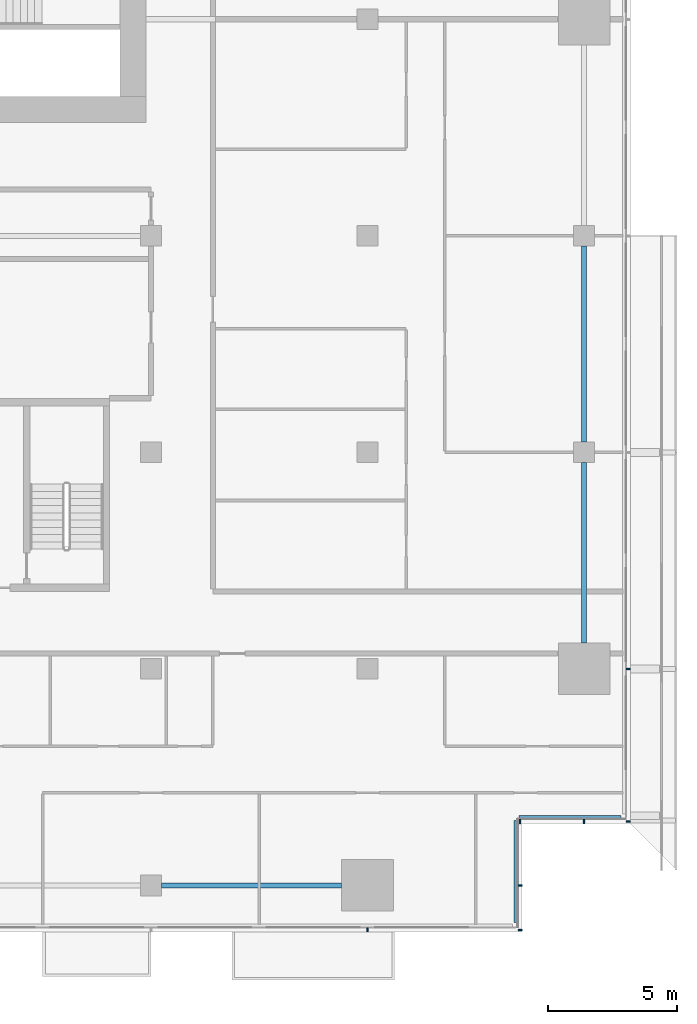
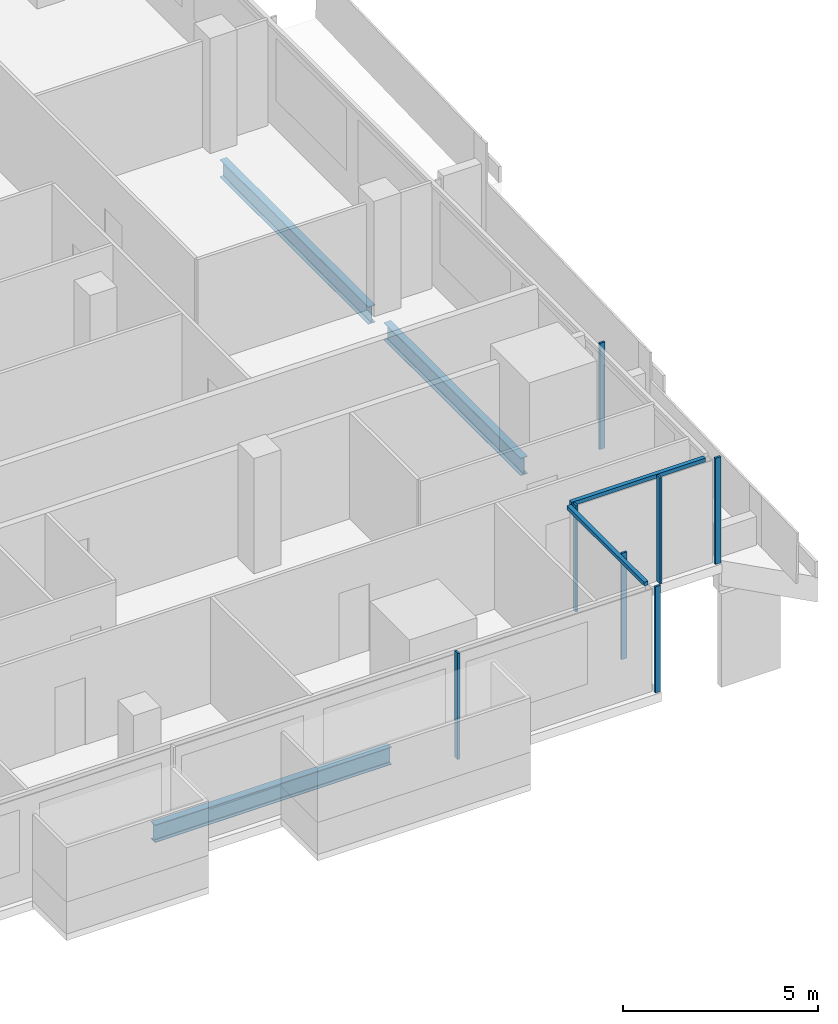
# One storey, part 11 of 27: 9 members, 3 beams, 4 elements without a shape of their own.
"""IFC4 building model written with IfcOpenShell, lengths in metres."""

from ifc_helpers import new_model, si_unit, direction, frame, origin, origin_2d, place, context, subcontext, project, spatial, rectangle, i_section, extrude, material, material_profile, profile_set, type_object, element, aggregate, save


model = new_model("IFC4")

# Units and contexts
model_context = context("Model", 3, precision=1e-05, world=origin(), true_north=direction((0.0, 1.0)))
body_context = subcontext(model_context, "Body", "Model", "MODEL_VIEW")
ifc_project = project(units=[si_unit("LENGTHUNIT", "METRE"), si_unit("AREAUNIT", "SQUARE_METRE"), si_unit("VOLUMEUNIT", "CUBIC_METRE"), si_unit("PLANEANGLEUNIT", "RADIAN"), si_unit("MASSUNIT", "GRAM", prefix="KILO")], contexts=[model_context])

# Site, building, storey
site_placement = place(None, origin())
site = spatial("IfcSite", under=ifc_project, at=site_placement, CompositionType="ELEMENT")
building_placement = place(site_placement, origin())
building = spatial("IfcBuilding", under=site, at=building_placement, Name="Saffron Gate Tower", CompositionType="ELEMENT")
storey_placement = place(building_placement, frame((0.0, 0.0, 109.64990234375)))
storey = spatial("IfcBuildingStorey", under=building, at=storey_placement, Name="L25", CompositionType="ELEMENT", Elevation=109.64990234375)

# Beams
ifc_material_1 = material(Name="Structural steel S355", Category="steel")
ifc_material_profile_1 = material_profile(ifc_material_1, i_section(OverallWidth=0.2099609375, OverallDepth=0.550048828125, WebThickness=0.010986328125, FlangeThickness=0.01708984375, FilletRadius=0.02392578125, at=origin_2d()))
ifc_profile_set_1 = profile_set([ifc_material_profile_1], Name="Structural steel S355")
beam_type = type_object("IfcBeamType", Name="B13 IPE 550", PredefinedType="SPANDREL", material=ifc_profile_set_1)
for number, where, z_axis, x_axis, name in (
    (1, (109.0, 31.800048828125, -0.554931640625), (1.0, 0.0, 0.0), (0.0, 1.0, 0.0), "B13 SPANDREL BEAM"),
    (2, (125.39990234375, 41.199951171875, -0.554931640625), (0.0, 1.0, 0.0), (-1.0, 0.0, 0.0), "B13 SPANDREL BEAM"),
):
    element("IfcBeam", number, at=place(storey_placement, frame(where, z_axis=z_axis, x_axis=x_axis)), inside=storey, type_object=beam_type, Name=name, PredefinedType="SPANDREL", context=body_context, shape_type="SweptSolid", body=[
        extrude(i_section(OverallWidth=0.2099609375, OverallDepth=0.550048828125, WebThickness=0.010986328125, FlangeThickness=0.01708984375, FilletRadius=0.02392578125, at=origin_2d()), origin(), (0.0, 0.0, 1.0), 7.0),
    ])
beam_placement = place(storey_placement, frame((125.39990234375, 49.0, -0.554931640625), z_axis=(0.0, 1.0, 0.0), x_axis=(-1.0, 0.0, 0.0)))
element("IfcBeam", 3, at=beam_placement, inside=storey, type_object=beam_type, Name="B13 SPANDREL BEAM", PredefinedType="SPANDREL", context=body_context, shape_type="SweptSolid", body=[
    extrude(i_section(OverallWidth=0.2099609375, OverallDepth=0.550048828125, WebThickness=0.010986328125, FlangeThickness=0.01708984375, FilletRadius=0.02392578125, at=origin_2d()), origin(), (0.0, 0.0, 1.0), 7.60009765625),
])

# Curtain wall, member
ifc_material_2 = material(Name="Aluminium, bronze anodised", Category="aluminium")
curtain_wall_type_1 = type_object("IfcCurtainWallType", Name="CWS1 curtain wall front facade", PredefinedType="NOTDEFINED", material=ifc_material_2)
curtain_wall_1_placement = place(storey_placement, origin())
curtain_wall_1 = element("IfcCurtainWall", 4, at=curtain_wall_1_placement, inside=storey, type_object=curtain_wall_type_1, Name="CWS1 run 1", PredefinedType="NOTDEFINED")
ifc_material_profile_2 = material_profile(ifc_material_2, rectangle(XDim=0.159912109375, YDim=0.06005859375, at=origin_2d()))
ifc_profile_set_2 = profile_set([ifc_material_profile_2], Name="Aluminium, bronze anodised")
member_type_1 = type_object("IfcMemberType", Name="CWS1 mullion 60x160", PredefinedType="MULLION", material=ifc_profile_set_2)
member_1_placement = place(storey_placement, frame((117.0, 30.080078125, 0.0), z_axis=(0.0, 0.0, 1.0), x_axis=(0.0, 1.0, 0.0)))
member_1 = element("IfcMember", 5, at=member_1_placement, type_object=member_type_1, Name="CWS1 mullion 9", PredefinedType="MULLION", context=body_context, shape_type="SweptSolid", body=[
    extrude(rectangle(XDim=0.159912109375, YDim=0.06005859375, at=origin_2d()), origin(), (0.0, 0.0, 1.0), 3.320068359375),
])
aggregate(curtain_wall_1, [member_1])

# Curtain wall, members
curtain_wall_type_2 = type_object("IfcCurtainWallType", Name="CWS2 curtain wall side facades", PredefinedType="NOTDEFINED", material=ifc_material_2)
curtain_wall_2_placement = place(storey_placement, origin())
curtain_wall_2 = element("IfcCurtainWall", 6, at=curtain_wall_2_placement, inside=storey, type_object=curtain_wall_type_2, Name="CWS2 run 4", PredefinedType="NOTDEFINED")
ifc_material_profile_3 = material_profile(ifc_material_2, rectangle(XDim=0.159912109375, YDim=0.06005859375, at=origin_2d()))
ifc_profile_set_3 = profile_set([ifc_material_profile_3], Name="Aluminium, bronze anodised")
member_type_2 = type_object("IfcMemberType", Name="CWS2 mullion 60x160", PredefinedType="MULLION", material=ifc_profile_set_3)
member_2_placement = place(storey_placement, frame((127.1201171875, 34.280029296875, 0.0), z_axis=(0.0, 0.0, 1.0), x_axis=(-1.0, 0.0, 0.0)))
member_2 = element("IfcMember", 7, at=member_2_placement, type_object=member_type_2, Name="CWS2 mullion 1", PredefinedType="MULLION", context=body_context, shape_type="SweptSolid", body=[
    extrude(rectangle(XDim=0.159912109375, YDim=0.06005859375, at=origin_2d()), origin(), (0.0, 0.0, 1.0), 3.320068359375),
])
member_3_placement = place(storey_placement, frame((127.1201171875, 40.199951171875, 0.0), z_axis=(0.0, 0.0, 1.0), x_axis=(-1.0, 0.0, 0.0)))
member_3 = element("IfcMember", 8, at=member_3_placement, type_object=member_type_2, Name="CWS2 mullion 2", PredefinedType="MULLION", context=body_context, shape_type="SweptSolid", body=[
    extrude(rectangle(XDim=0.159912109375, YDim=0.06005859375, at=origin_2d()), origin(), (0.0, 0.0, 1.0), 3.320068359375),
])
aggregate(curtain_wall_2, [member_2, member_3])

# Curtain wall, member
curtain_wall_type_3 = type_object("IfcCurtainWallType", Name="CWS4 curtain wall corner returns", PredefinedType="NOTDEFINED", material=ifc_material_2)
curtain_wall_3_placement = place(storey_placement, origin())
curtain_wall_3 = element("IfcCurtainWall", 9, at=curtain_wall_3_placement, inside=storey, type_object=curtain_wall_type_3, Name="CWS4 run 2", PredefinedType="NOTDEFINED")
ifc_material_profile_4 = material_profile(ifc_material_2, rectangle(XDim=0.1201171875, YDim=0.1201171875, at=origin_2d()))
ifc_profile_set_4 = profile_set([ifc_material_profile_4], Name="Aluminium, bronze anodised")
member_type_3 = type_object("IfcMemberType", Name="CWS4 head transom", PredefinedType="USERDEFINED", material=ifc_profile_set_4)
member_4_placement = place(storey_placement, frame((122.751953125, 30.367919921875, 3.260009765625), z_axis=(0.0, 1.0, 0.0), x_axis=(-1.0, 0.0, 0.0)))
member_4 = element("IfcMember", 10, at=member_4_placement, type_object=member_type_3, Name="CWS4 head transom", ObjectType="TRANSOM", PredefinedType="USERDEFINED", context=body_context, shape_type="SweptSolid", body=[
    extrude(rectangle(XDim=0.1201171875, YDim=0.1201171875, at=origin_2d()), origin(), (0.0, 0.0, 1.0), 3.9599609375),
])

curtain_wall_4_placement = place(storey_placement, origin())
curtain_wall_4 = element("IfcCurtainWall", 11, at=curtain_wall_4_placement, inside=storey, type_object=curtain_wall_type_3, Name="CWS4 run 3", PredefinedType="NOTDEFINED")
member_5_placement = place(storey_placement, frame((122.8720703125, 34.447998046875, 3.260009765625), z_axis=(1.0, 0.0, 0.0), x_axis=(0.0, 1.0, 0.0)))
member_5 = element("IfcMember", 12, at=member_5_placement, type_object=member_type_3, Name="CWS4 head transom", ObjectType="TRANSOM", PredefinedType="USERDEFINED", context=body_context, shape_type="SweptSolid", body=[
    extrude(rectangle(XDim=0.1201171875, YDim=0.1201171875, at=origin_2d()), origin(), (0.0, 0.0, 1.0), 3.9599609375),
])

# Member
ifc_material_profile_5 = material_profile(ifc_material_2, rectangle(XDim=0.159912109375, YDim=0.06005859375, at=origin_2d()))
ifc_profile_set_5 = profile_set([ifc_material_profile_5], Name="Aluminium, bronze anodised")
member_type_4 = type_object("IfcMemberType", Name="CWS4 mullion 60x160", PredefinedType="MULLION", material=ifc_profile_set_5)
member_6_placement = place(storey_placement, frame((122.919921875, 30.080078125, 0.0), z_axis=(0.0, 0.0, 1.0), x_axis=(-1.0, 0.0, 0.0)))
member_6 = element("IfcMember", 13, at=member_6_placement, type_object=member_type_4, Name="CWS4 mullion 1", PredefinedType="MULLION", context=body_context, shape_type="SweptSolid", body=[
    extrude(rectangle(XDim=0.159912109375, YDim=0.06005859375, at=origin_2d()), origin(), (0.0, 0.0, 1.0), 3.320068359375),
])

member_7_placement = place(storey_placement, frame((122.919921875, 31.800048828125, 0.0), z_axis=(0.0, 0.0, 1.0), x_axis=(-1.0, 0.0, 0.0)))
member_7 = element("IfcMember", 14, at=member_7_placement, type_object=member_type_4, Name="CWS4 mullion 2", PredefinedType="MULLION", context=body_context, shape_type="SweptSolid", body=[
    extrude(rectangle(XDim=0.159912109375, YDim=0.06005859375, at=origin_2d()), origin(), (0.0, 0.0, 1.0), 3.320068359375),
])

aggregate(curtain_wall_3, [member_6, member_7, member_4])

member_8_placement = place(storey_placement, frame((122.919921875, 34.280029296875, 0.0), z_axis=(0.0, 0.0, 1.0), x_axis=(0.0, 1.0, 0.0)))
member_8 = element("IfcMember", 15, at=member_8_placement, type_object=member_type_4, Name="CWS4 mullion 1", PredefinedType="MULLION", context=body_context, shape_type="SweptSolid", body=[
    extrude(rectangle(XDim=0.159912109375, YDim=0.06005859375, at=origin_2d()), origin(), (0.0, 0.0, 1.0), 3.320068359375),
])

member_9_placement = place(storey_placement, frame((125.39990234375, 34.280029296875, 0.0), z_axis=(0.0, 0.0, 1.0), x_axis=(0.0, 1.0, 0.0)))
member_9 = element("IfcMember", 16, at=member_9_placement, type_object=member_type_4, Name="CWS4 mullion 2", PredefinedType="MULLION", context=body_context, shape_type="SweptSolid", body=[
    extrude(rectangle(XDim=0.159912109375, YDim=0.06005859375, at=origin_2d()), origin(), (0.0, 0.0, 1.0), 3.320068359375),
])

aggregate(curtain_wall_4, [member_8, member_9, member_5])

save(model, "model.ifc")
